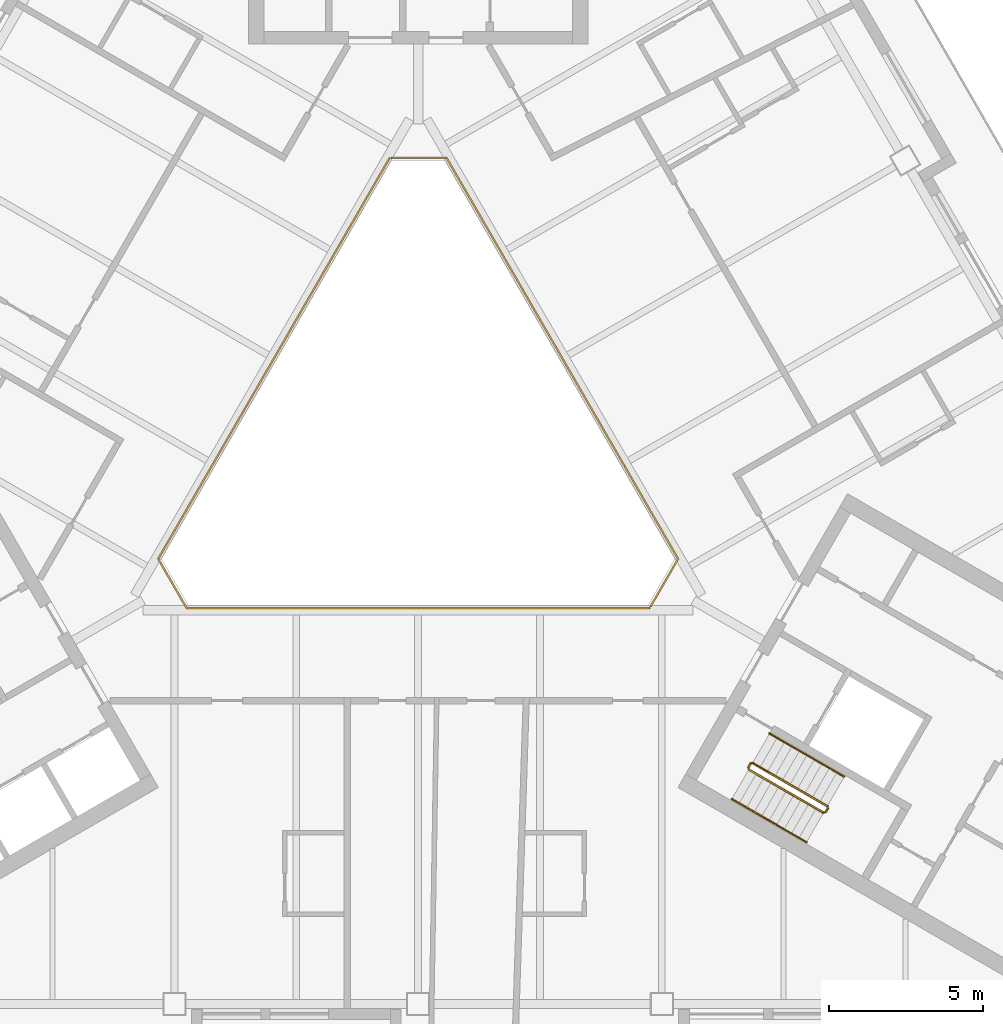
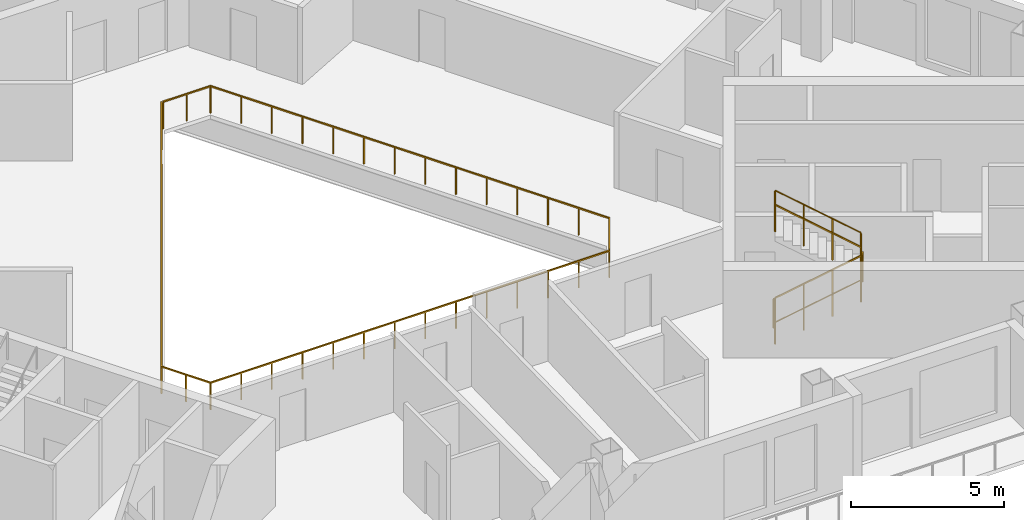
# One storey, part 12 of 14: 8 railings.
"""IFC4 building model written with IfcOpenShell, lengths in metres."""

from ifc_helpers import new_model, si_unit, direction, frame, origin, origin_2d, place, context, subcontext, project, spatial, rectangle, circle, extrude, material, type_object, element, save


model = new_model("IFC4")

# Units and contexts
model_context = context("Model", 3, precision=1e-05, world=origin(), true_north=direction((0.0, 1.0)))
body_context = subcontext(model_context, "Body", "Model", "MODEL_VIEW")
ifc_project = project(units=[si_unit("LENGTHUNIT", "METRE"), si_unit("AREAUNIT", "SQUARE_METRE"), si_unit("VOLUMEUNIT", "CUBIC_METRE"), si_unit("PLANEANGLEUNIT", "RADIAN"), si_unit("MASSUNIT", "GRAM", prefix="KILO")], contexts=[model_context])

# Site, building, storey
site_placement = place(None, origin())
site = spatial("IfcSite", under=ifc_project, at=site_placement, CompositionType="ELEMENT")
building_placement = place(site_placement, origin())
building = spatial("IfcBuilding", under=site, at=building_placement, Name="Apuvela Tower Hotel", CompositionType="ELEMENT")
storey_placement = place(building_placement, frame((0.0, 0.0, 209.5)))
storey = spatial("IfcBuildingStorey", under=building, at=storey_placement, Name="L51", CompositionType="ELEMENT", Elevation=209.5)

# Railings
ifc_material_1 = material(Name="Steel S275 balustrade", Category="steel")
railing_type_1 = type_object("IfcRailingType", Name="COR-GUARD-1100", PredefinedType="GUARDRAIL", material=ifc_material_1)
railing_1_placement = place(storey_placement, frame((10.718994140625, -10.63427734375, 0.168212890625)))
element("IfcRailing", 1, at=railing_1_placement, inside=storey, type_object=railing_type_1, Name="L51 ST3 stair guard 1", PredefinedType="GUARDRAIL", context=body_context, shape_type="SweptSolid", body=[
    extrude(rectangle(XDim=0.048095703125, YDim=0.048095703125, at=origin_2d()), frame((0.0, 0.0, 1.076171875), z_axis=(0.742390482028, -0.42860119049, 0.514934356695), x_axis=(0.49998411664, 0.866034573852, 0.0)), (0.0, 0.0, 1.0), 3.26611328125),
    extrude(rectangle(XDim=0.0419921875, YDim=0.0419921875, at=origin_2d()), origin(), (0.0, 0.0, 1.0), 1.052001953125),
    extrude(rectangle(XDim=0.0419921875, YDim=0.0419921875, at=origin_2d()), frame((0.808349609375, -0.466552734375, 0.560546875)), (0.0, 0.0, 1.0), 1.052001953125),
    extrude(rectangle(XDim=0.0419921875, YDim=0.0419921875, at=origin_2d()), frame((1.616455078125, -0.933349609375, 1.121337890625)), (0.0, 0.0, 1.0), 1.052001953125),
    extrude(rectangle(XDim=0.0419921875, YDim=0.0419921875, at=origin_2d()), frame((2.4248046875, -1.39990234375, 1.681884765625)), (0.0, 0.0, 1.0), 1.052001953125),
])
railing_2_placement = place(storey_placement, frame((13.212158203125, -12.015869140625, 1.85009765625)))
element("IfcRailing", 2, at=railing_2_placement, inside=storey, type_object=railing_type_1, Name="L51 ST3 stair guard 2", PredefinedType="GUARDRAIL", context=body_context, shape_type="SweptSolid", body=[
    extrude(rectangle(XDim=0.048095703125, YDim=0.048095703125, at=origin_2d()), frame((0.0, 0.0, 1.076171875), z_axis=(0.499816412211, 0.866131372301, 0.0), x_axis=(-0.866131372301, 0.499816412211, 0.0)), (0.0, 0.0, 1.0), 0.14990234375),
    extrude(rectangle(XDim=0.0419921875, YDim=0.0419921875, at=origin_2d()), origin(), (0.0, 0.0, 1.0), 1.052001953125),
    extrude(rectangle(XDim=0.0419921875, YDim=0.0419921875, at=origin_2d()), frame((0.074951171875, 0.1298828125, 0.0)), (0.0, 0.0, 1.0), 1.052001953125),
])
railing_3_placement = place(storey_placement, frame((13.268798828125, -11.817626953125, 2.01806640625)))
element("IfcRailing", 3, at=railing_3_placement, inside=storey, type_object=railing_type_1, Name="L51 ST3 stair guard 3", PredefinedType="GUARDRAIL", context=body_context, shape_type="SweptSolid", body=[
    extrude(rectangle(XDim=0.048095703125, YDim=0.048095703125, at=origin_2d()), frame((0.0, 0.0, 1.076171875), z_axis=(-0.742390482028, 0.42860119049, 0.514934356695), x_axis=(-0.49998411664, -0.866034573852, 0.0)), (0.0, 0.0, 1.0), 3.26611328125),
    extrude(rectangle(XDim=0.0419921875, YDim=0.0419921875, at=origin_2d()), origin(), (0.0, 0.0, 1.0), 1.052001953125),
    extrude(rectangle(XDim=0.0419921875, YDim=0.0419921875, at=origin_2d()), frame((-0.808349609375, 0.466552734375, 0.560546875)), (0.0, 0.0, 1.0), 1.052001953125),
    extrude(rectangle(XDim=0.0419921875, YDim=0.0419921875, at=origin_2d()), frame((-1.616455078125, 0.933349609375, 1.121337890625)), (0.0, 0.0, 1.0), 1.052001953125),
    extrude(rectangle(XDim=0.0419921875, YDim=0.0419921875, at=origin_2d()), frame((-2.4248046875, 1.39990234375, 1.681884765625)), (0.0, 0.0, 1.0), 1.052001953125),
])
railing_4_placement = place(storey_placement, frame((10.70068359375, -10.56591796875, 0.0)))
element("IfcRailing", 4, at=railing_4_placement, inside=storey, type_object=railing_type_1, Name="L51 ST3 stair guard 4", PredefinedType="GUARDRAIL", context=body_context, shape_type="SweptSolid", body=[
    extrude(rectangle(XDim=0.048095703125, YDim=0.048095703125, at=origin_2d()), frame((0.0, 0.0, 1.076171875), z_axis=(0.499816412211, 0.866131372301, 0.0), x_axis=(-0.866131372301, 0.499816412211, 0.0)), (0.0, 0.0, 1.0), 0.14990234375),
    extrude(rectangle(XDim=0.0419921875, YDim=0.0419921875, at=origin_2d()), origin(), (0.0, 0.0, 1.0), 1.052001953125),
    extrude(rectangle(XDim=0.0419921875, YDim=0.0419921875, at=origin_2d()), frame((0.074951171875, 0.1298828125, 0.0)), (0.0, 0.0, 1.0), 1.052001953125),
])
ifc_material_2 = material(Name="Stainless steel 316 handrail", Category="steel")
railing_type_2 = type_object("IfcRailingType", Name="COR-HANDRAIL-900", PredefinedType="HANDRAIL", material=ifc_material_2)
railing_5_placement = place(storey_placement, frame((10.1689453125, -11.5869140625, 0.168212890625)))
element("IfcRailing", 5, at=railing_5_placement, inside=storey, type_object=railing_type_2, Name="L51 ST3 stair handrail 1", PredefinedType="HANDRAIL", context=body_context, shape_type="SweptSolid", body=[
    extrude(circle(Radius=0.02392578125, at=origin_2d()), frame((0.0, 0.0, 0.8759765625), z_axis=(0.742390482028, -0.42860119049, 0.514934356695), x_axis=(0.49998411664, 0.866034573852, 0.0)), (0.0, 0.0, 1.0), 3.26611328125),
    extrude(rectangle(XDim=0.0419921875, YDim=0.0419921875, at=origin_2d()), origin(), (0.0, 0.0, 1.0), 0.851806640625),
    extrude(rectangle(XDim=0.0419921875, YDim=0.0419921875, at=origin_2d()), frame((0.808349609375, -0.466552734375, 0.560546875)), (0.0, 0.0, 1.0), 0.851806640625),
    extrude(rectangle(XDim=0.0419921875, YDim=0.0419921875, at=origin_2d()), frame((1.616455078125, -0.933349609375, 1.121337890625)), (0.0, 0.0, 1.0), 0.851806640625),
    extrude(rectangle(XDim=0.0419921875, YDim=0.0419921875, at=origin_2d()), frame((2.4248046875, -1.39990234375, 1.681884765625)), (0.0, 0.0, 1.0), 0.851806640625),
])
railing_6_placement = place(storey_placement, frame((13.81884765625, -10.864990234375, 2.01806640625)))
element("IfcRailing", 6, at=railing_6_placement, inside=storey, type_object=railing_type_2, Name="L51 ST3 stair handrail 2", PredefinedType="HANDRAIL", context=body_context, shape_type="SweptSolid", body=[
    extrude(circle(Radius=0.02392578125, at=origin_2d()), frame((0.0, 0.0, 0.8759765625), z_axis=(-0.742390482028, 0.42860119049, 0.514934356695), x_axis=(-0.49998411664, -0.866034573852, 0.0)), (0.0, 0.0, 1.0), 3.26611328125),
    extrude(rectangle(XDim=0.0419921875, YDim=0.0419921875, at=origin_2d()), origin(), (0.0, 0.0, 1.0), 0.851806640625),
    extrude(rectangle(XDim=0.0419921875, YDim=0.0419921875, at=origin_2d()), frame((-0.808349609375, 0.466552734375, 0.560546875)), (0.0, 0.0, 1.0), 0.851806640625),
    extrude(rectangle(XDim=0.0419921875, YDim=0.0419921875, at=origin_2d()), frame((-1.616455078125, 0.933349609375, 1.121337890625)), (0.0, 0.0, 1.0), 0.851806640625),
    extrude(rectangle(XDim=0.0419921875, YDim=0.0419921875, at=origin_2d()), frame((-2.4248046875, 1.39990234375, 1.681884765625)), (0.0, 0.0, 1.0), 0.851806640625),
])
ifc_material_3 = material(Name="Stainless steel 316 rail with laminated glass infill", Category="steel")
railing_type_3 = type_object("IfcRailingType", Name="ENV-GUARD-1100", PredefinedType="GUARDRAIL", material=ifc_material_3)
railing_7_placement = place(storey_placement, frame((-0.923828125, 9.199951171875, 0.0)))
element("IfcRailing", 7, at=railing_7_placement, inside=storey, type_object=railing_type_3, Name="Atrium void guard A L51", PredefinedType="GUARDRAIL", context=body_context, shape_type="SweptSolid", body=[
    extrude(rectangle(XDim=0.050048828125, YDim=0.050048828125, at=origin_2d()), frame((0.0, 0.0, 1.0751953125), z_axis=(-0.499990886379, -0.866030665472, 0.0), x_axis=(0.866030665472, -0.499990886379, 0.0)), (0.0, 0.0, 1.0), 15.010986328125),
    extrude(rectangle(XDim=0.050048828125, YDim=0.050048828125, at=origin_2d()), frame((-7.50537109375, -13.0, 1.0751953125), z_axis=(0.499962699187, -0.866046938348, 0.0), x_axis=(0.866046938348, 0.499962699187, 0.0)), (0.0, 0.0, 1.0), 1.847412109375),
    extrude(rectangle(XDim=0.050048828125, YDim=0.050048828125, at=origin_2d()), frame((-6.581787109375, -14.599853515625, 1.0751953125), z_axis=(1.0, 0.0, 0.0), x_axis=(0.0, 1.0, 0.0)), (0.0, 0.0, 1.0), 15.01123046875),
    extrude(rectangle(XDim=0.0400390625, YDim=0.0400390625, at=origin_2d()), origin(), (0.0, 0.0, 1.0), 1.050048828125),
    extrude(rectangle(XDim=0.0400390625, YDim=0.0400390625, at=origin_2d()), frame((-0.577392578125, -1.0, 0.0)), (0.0, 0.0, 1.0), 1.050048828125),
    extrude(rectangle(XDim=0.0400390625, YDim=0.0400390625, at=origin_2d()), frame((-1.15478515625, -2.0, 0.0)), (0.0, 0.0, 1.0), 1.050048828125),
    extrude(rectangle(XDim=0.0400390625, YDim=0.0400390625, at=origin_2d()), frame((-1.73193359375, -3.0, 0.0)), (0.0, 0.0, 1.0), 1.050048828125),
    extrude(rectangle(XDim=0.0400390625, YDim=0.0400390625, at=origin_2d()), frame((-2.309326171875, -4.0, 0.0)), (0.0, 0.0, 1.0), 1.050048828125),
    extrude(rectangle(XDim=0.0400390625, YDim=0.0400390625, at=origin_2d()), frame((-2.88671875, -5.0, 0.0)), (0.0, 0.0, 1.0), 1.050048828125),
    extrude(rectangle(XDim=0.0400390625, YDim=0.0400390625, at=origin_2d()), frame((-3.464111328125, -6.0, 0.0)), (0.0, 0.0, 1.0), 1.050048828125),
    extrude(rectangle(XDim=0.0400390625, YDim=0.0400390625, at=origin_2d()), frame((-4.041259765625, -7.0, 0.0)), (0.0, 0.0, 1.0), 1.050048828125),
    extrude(rectangle(XDim=0.0400390625, YDim=0.0400390625, at=origin_2d()), frame((-4.61865234375, -8.0, 0.0)), (0.0, 0.0, 1.0), 1.050048828125),
    extrude(rectangle(XDim=0.0400390625, YDim=0.0400390625, at=origin_2d()), frame((-5.196044921875, -9.0, 0.0)), (0.0, 0.0, 1.0), 1.050048828125),
    extrude(rectangle(XDim=0.0400390625, YDim=0.0400390625, at=origin_2d()), frame((-5.7734375, -10.0, 0.0)), (0.0, 0.0, 1.0), 1.050048828125),
    extrude(rectangle(XDim=0.0400390625, YDim=0.0400390625, at=origin_2d()), frame((-6.3505859375, -11.0, 0.0)), (0.0, 0.0, 1.0), 1.050048828125),
    extrude(rectangle(XDim=0.0400390625, YDim=0.0400390625, at=origin_2d()), frame((-6.927978515625, -12.0, 0.0)), (0.0, 0.0, 1.0), 1.050048828125),
    extrude(rectangle(XDim=0.0400390625, YDim=0.0400390625, at=origin_2d()), frame((-7.50537109375, -13.0, 0.0)), (0.0, 0.0, 1.0), 1.050048828125),
    extrude(rectangle(XDim=0.0400390625, YDim=0.0400390625, at=origin_2d()), frame((-7.04345703125, -13.7998046875, 0.0)), (0.0, 0.0, 1.0), 1.050048828125),
    extrude(rectangle(XDim=0.0400390625, YDim=0.0400390625, at=origin_2d()), frame((-6.581787109375, -14.599853515625, 0.0)), (0.0, 0.0, 1.0), 1.050048828125),
    extrude(rectangle(XDim=0.0400390625, YDim=0.0400390625, at=origin_2d()), frame((-5.427001953125, -14.599853515625, 0.0)), (0.0, 0.0, 1.0), 1.050048828125),
    extrude(rectangle(XDim=0.0400390625, YDim=0.0400390625, at=origin_2d()), frame((-4.2724609375, -14.599853515625, 0.0)), (0.0, 0.0, 1.0), 1.050048828125),
    extrude(rectangle(XDim=0.0400390625, YDim=0.0400390625, at=origin_2d()), frame((-3.11767578125, -14.599853515625, 0.0)), (0.0, 0.0, 1.0), 1.050048828125),
    extrude(rectangle(XDim=0.0400390625, YDim=0.0400390625, at=origin_2d()), frame((-1.962890625, -14.599853515625, 0.0)), (0.0, 0.0, 1.0), 1.050048828125),
    extrude(rectangle(XDim=0.0400390625, YDim=0.0400390625, at=origin_2d()), frame((-0.808349609375, -14.599853515625, 0.0)), (0.0, 0.0, 1.0), 1.050048828125),
    extrude(rectangle(XDim=0.0400390625, YDim=0.0400390625, at=origin_2d()), frame((0.346435546875, -14.599853515625, 0.0)), (0.0, 0.0, 1.0), 1.050048828125),
    extrude(rectangle(XDim=0.0400390625, YDim=0.0400390625, at=origin_2d()), frame((1.501220703125, -14.599853515625, 0.0)), (0.0, 0.0, 1.0), 1.050048828125),
    extrude(rectangle(XDim=0.0400390625, YDim=0.0400390625, at=origin_2d()), frame((2.656005859375, -14.599853515625, 0.0)), (0.0, 0.0, 1.0), 1.050048828125),
    extrude(rectangle(XDim=0.0400390625, YDim=0.0400390625, at=origin_2d()), frame((3.810546875, -14.599853515625, 0.0)), (0.0, 0.0, 1.0), 1.050048828125),
    extrude(rectangle(XDim=0.0400390625, YDim=0.0400390625, at=origin_2d()), frame((4.96533203125, -14.599853515625, 0.0)), (0.0, 0.0, 1.0), 1.050048828125),
    extrude(rectangle(XDim=0.0400390625, YDim=0.0400390625, at=origin_2d()), frame((6.1201171875, -14.599853515625, 0.0)), (0.0, 0.0, 1.0), 1.050048828125),
    extrude(rectangle(XDim=0.0400390625, YDim=0.0400390625, at=origin_2d()), frame((7.274658203125, -14.599853515625, 0.0)), (0.0, 0.0, 1.0), 1.050048828125),
    extrude(rectangle(XDim=0.0400390625, YDim=0.0400390625, at=origin_2d()), frame((8.429443359375, -14.599853515625, 0.0)), (0.0, 0.0, 1.0), 1.050048828125),
])
railing_8_placement = place(storey_placement, frame((7.53564453125, -5.347900390625, 0.0)))
element("IfcRailing", 8, at=railing_8_placement, inside=storey, type_object=railing_type_3, Name="Atrium void guard B L51", PredefinedType="GUARDRAIL", context=body_context, shape_type="SweptSolid", body=[
    extrude(rectangle(XDim=0.050048828125, YDim=0.050048828125, at=origin_2d()), frame((0.0, 0.0, 1.0751953125), z_axis=(0.499958946799, 0.866049104564, 0.0), x_axis=(-0.866049104564, 0.499958946799, 0.0)), (0.0, 0.0, 1.0), 1.787353515625),
    extrude(rectangle(XDim=0.050048828125, YDim=0.050048828125, at=origin_2d()), frame((0.8935546875, 1.5478515625, 1.0751953125), z_axis=(-0.499990886379, 0.866030665472, 0.0), x_axis=(-0.866030665472, -0.499990886379, 0.0)), (0.0, 0.0, 1.0), 15.010986328125),
    extrude(rectangle(XDim=0.050048828125, YDim=0.050048828125, at=origin_2d()), frame((-6.61181640625, 14.5478515625, 1.0751953125), z_axis=(-1.0, 0.0, 0.0), x_axis=(0.0, -1.0, 0.0)), (0.0, 0.0, 1.0), 1.78759765625),
    extrude(rectangle(XDim=0.0400390625, YDim=0.0400390625, at=origin_2d()), origin(), (0.0, 0.0, 1.0), 1.050048828125),
    extrude(rectangle(XDim=0.0400390625, YDim=0.0400390625, at=origin_2d()), frame((0.44677734375, 0.77392578125, 0.0)), (0.0, 0.0, 1.0), 1.050048828125),
    extrude(rectangle(XDim=0.0400390625, YDim=0.0400390625, at=origin_2d()), frame((0.8935546875, 1.5478515625, 0.0)), (0.0, 0.0, 1.0), 1.050048828125),
    extrude(rectangle(XDim=0.0400390625, YDim=0.0400390625, at=origin_2d()), frame((0.316162109375, 2.5478515625, 0.0)), (0.0, 0.0, 1.0), 1.050048828125),
    extrude(rectangle(XDim=0.0400390625, YDim=0.0400390625, at=origin_2d()), frame((-0.26123046875, 3.5478515625, 0.0)), (0.0, 0.0, 1.0), 1.050048828125),
    extrude(rectangle(XDim=0.0400390625, YDim=0.0400390625, at=origin_2d()), frame((-0.83837890625, 4.5478515625, 0.0)), (0.0, 0.0, 1.0), 1.050048828125),
    extrude(rectangle(XDim=0.0400390625, YDim=0.0400390625, at=origin_2d()), frame((-1.415771484375, 5.5478515625, 0.0)), (0.0, 0.0, 1.0), 1.050048828125),
    extrude(rectangle(XDim=0.0400390625, YDim=0.0400390625, at=origin_2d()), frame((-1.9931640625, 6.5478515625, 0.0)), (0.0, 0.0, 1.0), 1.050048828125),
    extrude(rectangle(XDim=0.0400390625, YDim=0.0400390625, at=origin_2d()), frame((-2.570556640625, 7.5478515625, 0.0)), (0.0, 0.0, 1.0), 1.050048828125),
    extrude(rectangle(XDim=0.0400390625, YDim=0.0400390625, at=origin_2d()), frame((-3.147705078125, 8.5478515625, 0.0)), (0.0, 0.0, 1.0), 1.050048828125),
    extrude(rectangle(XDim=0.0400390625, YDim=0.0400390625, at=origin_2d()), frame((-3.72509765625, 9.5478515625, 0.0)), (0.0, 0.0, 1.0), 1.050048828125),
    extrude(rectangle(XDim=0.0400390625, YDim=0.0400390625, at=origin_2d()), frame((-4.302490234375, 10.5478515625, 0.0)), (0.0, 0.0, 1.0), 1.050048828125),
    extrude(rectangle(XDim=0.0400390625, YDim=0.0400390625, at=origin_2d()), frame((-4.8798828125, 11.5478515625, 0.0)), (0.0, 0.0, 1.0), 1.050048828125),
    extrude(rectangle(XDim=0.0400390625, YDim=0.0400390625, at=origin_2d()), frame((-5.45703125, 12.5478515625, 0.0)), (0.0, 0.0, 1.0), 1.050048828125),
    extrude(rectangle(XDim=0.0400390625, YDim=0.0400390625, at=origin_2d()), frame((-6.034423828125, 13.5478515625, 0.0)), (0.0, 0.0, 1.0), 1.050048828125),
    extrude(rectangle(XDim=0.0400390625, YDim=0.0400390625, at=origin_2d()), frame((-6.61181640625, 14.5478515625, 0.0)), (0.0, 0.0, 1.0), 1.050048828125),
    extrude(rectangle(XDim=0.0400390625, YDim=0.0400390625, at=origin_2d()), frame((-7.505615234375, 14.5478515625, 0.0)), (0.0, 0.0, 1.0), 1.050048828125),
    extrude(rectangle(XDim=0.0400390625, YDim=0.0400390625, at=origin_2d()), frame((-8.3994140625, 14.5478515625, 0.0)), (0.0, 0.0, 1.0), 1.050048828125),
])

save(model, "model.ifc")
